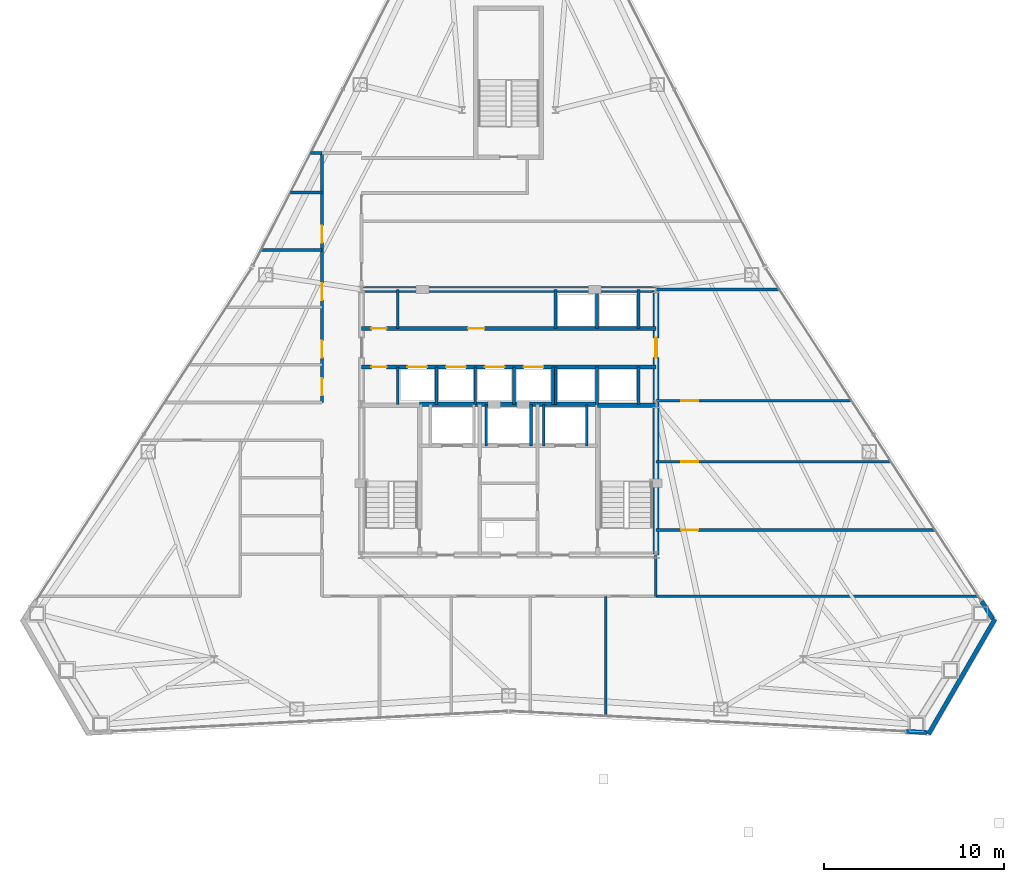
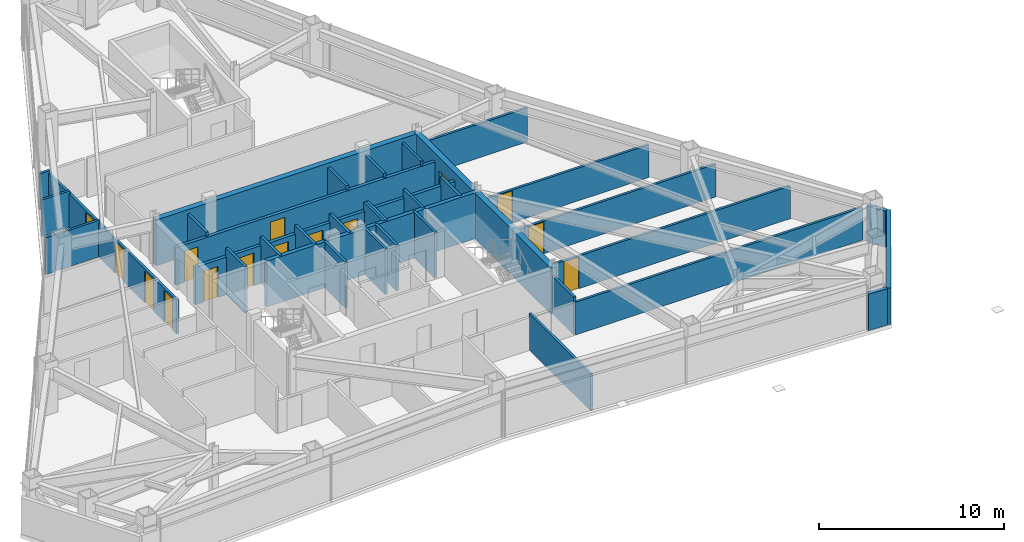
# One storey, part 10 of 12: 36 walls, 15 doors, 15 openings.
"""IFC4 building model written with IfcOpenShell, lengths in metres."""

from ifc_helpers import new_model, si_unit, direction, frame, frame_2d, origin, place, context, subcontext, project, spatial, rectangle, extrude, material, layer, layer_set, type_object, element, fill, save


model = new_model("IFC4")

# Units and contexts
model_context = context("Model", 3, precision=1e-05, world=origin(), true_north=direction((0.0, 1.0)))
body_context = subcontext(model_context, "Body", "Model", "MODEL_VIEW")
ifc_project = project(units=[si_unit("LENGTHUNIT", "METRE"), si_unit("AREAUNIT", "SQUARE_METRE"), si_unit("VOLUMEUNIT", "CUBIC_METRE"), si_unit("PLANEANGLEUNIT", "RADIAN"), si_unit("MASSUNIT", "GRAM", prefix="KILO")], contexts=[model_context])

# Site, building, storey
site_placement = place(None, origin())
site = spatial("IfcSite", under=ifc_project, at=site_placement, CompositionType="ELEMENT")
building_placement = place(site_placement, origin())
building = spatial("IfcBuilding", under=site, at=building_placement, Name="Varakhsha Concourse Tower", CompositionType="ELEMENT")
storey_placement = place(building_placement, frame((0.0, 0.0, 193.050048828125)))
storey = spatial("IfcBuildingStorey", under=building, at=storey_placement, Name="L55", CompositionType="ELEMENT", Elevation=193.050048828125)

# Wall
ifc_material_1 = material(Name="Concrete fc 65 MPa", Category="concrete")
ifc_layer_1 = layer(ifc_material_1, 0.35009765625, Name="WL-CORE-350")
ifc_layer_set_1 = layer_set([ifc_layer_1], Name="Concrete fc 65 MPa")
wall_type_1 = type_object("IfcWallType", Name="WL-CORE-350", PredefinedType="SHEAR", material=ifc_layer_set_1)
wall_1_placement = place(storey_placement, frame((31.800048828125, 31.199951171875, 0.0), z_axis=(0.0, 0.0, 1.0), x_axis=(1.0, 0.0, 0.0)))
element("IfcWall", 1, at=wall_1_placement, inside=storey, type_object=wall_type_1, Name="L55 Wall CWALL-N-L55", PredefinedType="SHEAR", context=body_context, shape_type="SweptSolid", body=[
    extrude(rectangle(XDim=16.39990234375, YDim=0.35009765625, at=frame_2d((8.199951171875, 0.0))), origin(), (0.0, 0.0, 1.0), 3.030029296875),
])

# Wall, opening, door
wall_2_placement = place(storey_placement, frame((48.199951171875, 16.39990234375, 0.0), z_axis=(0.0, 0.0, 1.0), x_axis=(0.0, 1.0, 0.0)))
wall_2 = element("IfcWall", 2, at=wall_2_placement, inside=storey, type_object=wall_type_1, Name="L55 Wall CWALL-E-L55", PredefinedType="SHEAR", context=body_context, shape_type="SweptSolid", body=[
    extrude(rectangle(XDim=14.800048828125, YDim=0.35009765625, at=frame_2d((7.39990234375, 0.0))), origin(), (0.0, 0.0, 1.0), 3.030029296875),
])
opening_1_placement = place(wall_2_placement, frame((11.0, 0.0, 0.0)))
opening_1 = element("IfcOpeningElement", 3, at=opening_1_placement, cuts=wall_2, Name="Opening DL-01", PredefinedType="OPENING", context=body_context, shape_type="SweptSolid", body=[
    extrude(rectangle(XDim=1.10009765625, YDim=2.14990234375, at=frame_2d((0.550048828125, 1.074951171875))), frame((0.0, 0.18505859375, 0.0), z_axis=(0.0, -1.0, 0.0), x_axis=(1.0, 0.0, 0.0)), (0.0, 0.0, 1.0), 0.3701171875),
])
ifc_material_2 = material(Name="Anodised Bronze Architectural Aluminium AA 6063-T6", Category="aluminium")
door_type_1 = type_object("IfcDoorType", Name="DR-LOB-1100", OperationType="NOTDEFINED", PredefinedType="DOOR", material=ifc_material_2)
door_1_placement = place(opening_1_placement, origin())
door_1 = element("IfcDoor", 4, at=door_1_placement, inside=storey, type_object=door_type_1, Name="L55 Lift Lobby East Concourse Door", OperationType="SINGLE_SWING_RIGHT", OverallHeight=2.14990234375, OverallWidth=1.10009765625, PredefinedType="DOOR", context=body_context, shape_type="SweptSolid", body=[
    extrude(rectangle(XDim=1.10009765625, YDim=2.14990234375, at=frame_2d((0.550048828125, 1.074951171875))), frame((0.0, 0.02490234375, 0.0), z_axis=(0.0, -1.0, 0.0), x_axis=(1.0, 0.0, 0.0)), (0.0, 0.0, 1.0), 0.050048828125),
])
fill(opening_1, door_1)

# Walls
ifc_material_3 = material(Name="Concrete fc 45 MPa", Category="concrete")
ifc_layer_2 = layer(ifc_material_3, 0.239990234375, Name="WL-EXT-CRN-240")
ifc_layer_set_2 = layer_set([ifc_layer_2], Name="Concrete fc 45 MPa")
wall_type_2 = type_object("IfcWallType", Name="WL-EXT-CRN-240", PredefinedType="SHEAR", material=ifc_layer_set_2)
wall_3_placement = place(storey_placement, frame((62.1455078125, 6.5771484375, 0.0), z_axis=(0.0, 0.0, 1.0), x_axis=(0.998696973005, -0.051032892443, 0.0)))
element("IfcWall", 5, at=wall_3_placement, inside=storey, type_object=wall_type_2, Name="L55 Wind-Corner Shoulder Wall F6", PredefinedType="SHEAR", context=body_context, shape_type="SweptSolid", body=[
    extrude(rectangle(XDim=1.167236328125, YDim=0.239990234375, at=frame_2d((0.58349609375, 0.0))), origin(), (0.0, 0.0, 1.0), 2.40283203125),
])
wall_4_placement = place(storey_placement, frame((67.084228515625, 12.835205078125, 0.0), z_axis=(0.0, 0.0, 1.0), x_axis=(-0.499988999718, -0.866031754707, 0.0)))
element("IfcWall", 6, at=wall_4_placement, inside=storey, type_object=wall_type_2, Name="L55 Chamfer Wind-Corner Insulated Wall F7", PredefinedType="SHEAR", context=body_context, shape_type="SweptSolid", body=[
    extrude(rectangle(XDim=7.400146484375, YDim=0.239990234375, at=frame_2d((3.7001953125, 0.0))), origin(), (0.0, 0.0, 1.0), 2.40283203125),
])
wall_5_placement = place(storey_placement, frame((66.968994140625, 12.852783203125, 0.0), z_axis=(0.0, 0.0, 1.0), x_axis=(-0.543502707761, 0.839407413987, 0.0)))
element("IfcWall", 7, at=wall_5_placement, inside=storey, type_object=wall_type_2, Name="L55 Wind-Corner Shoulder Wall F8", PredefinedType="SHEAR", context=body_context, shape_type="SweptSolid", body=[
    extrude(rectangle(XDim=1.16748046875, YDim=0.239990234375, at=frame_2d((0.583740234375, 0.0))), origin(), (0.0, 0.0, 1.0), 2.40283203125),
])
ifc_material_4 = material(Name="Fire-Rated Type X Gypsum Partition Assembly", Category="gypsum")
ifc_layer_3 = layer(ifc_material_4, 0.14990234375, Name="WL-PART-150")
ifc_layer_set_3 = layer_set([ifc_layer_3], Name="Fire-Rated Type X Gypsum Partition Assembly")
wall_type_3 = type_object("IfcWallType", Name="WL-PART-150", PredefinedType="PARTITIONING", material=ifc_layer_set_3)
wall_6_placement = place(storey_placement, frame((48.199951171875, 14.10009765625, 0.0), z_axis=(0.0, 0.0, 1.0), x_axis=(0.0, 1.0, 0.0)))
element("IfcWall", 8, at=wall_6_placement, inside=storey, type_object=wall_type_3, Name="L55 Wall CRW-SE-L55", PredefinedType="PARTITIONING", context=body_context, shape_type="SweptSolid", body=[
    extrude(rectangle(XDim=2.2998046875, YDim=0.14990234375, at=frame_2d((1.14990234375, 0.0))), origin(), (0.0, 0.0, 1.0), 2.48486328125),
])

# Wall, openings, doors
wall_7_placement = place(storey_placement, frame((29.60009765625, 24.89990234375, 0.0), z_axis=(0.0, 0.0, 1.0), x_axis=(0.0, 1.0, 0.0)))
wall_7 = element("IfcWall", 9, at=wall_7_placement, inside=storey, type_object=wall_type_3, Name="L55 Wall CRW-WN-L55", PredefinedType="PARTITIONING", context=body_context, shape_type="SweptSolid", body=[
    extrude(rectangle(XDim=13.900146484375, YDim=0.14990234375, at=frame_2d((6.9501953125, 0.0))), origin(), (0.0, 0.0, 1.0), 2.240966796875),
])
opening_2_placement = place(wall_7_placement, frame((0.39990234375, 0.0, 0.0)))
opening_2 = element("IfcOpeningElement", 10, at=opening_2_placement, cuts=wall_7, Name="Opening DF-05", PredefinedType="OPENING", context=body_context, shape_type="SweptSolid", body=[
    extrude(rectangle(XDim=0.949951171875, YDim=2.10009765625, at=frame_2d((0.47509765625, 1.050048828125))), frame((0.0, 0.0849609375, 0.0), z_axis=(0.0, -1.0, 0.0), x_axis=(1.0, 0.0, 0.0)), (0.0, 0.0, 1.0), 0.169921875),
])
opening_3_placement = place(wall_7_placement, frame((2.5, 0.0, 0.0)))
opening_3 = element("IfcOpeningElement", 11, at=opening_3_placement, cuts=wall_7, Name="Opening DF-05", PredefinedType="OPENING", context=body_context, shape_type="SweptSolid", body=[
    extrude(rectangle(XDim=0.949951171875, YDim=2.10009765625, at=frame_2d((0.47509765625, 1.050048828125))), frame((0.0, 0.0849609375, 0.0), z_axis=(0.0, -1.0, 0.0), x_axis=(1.0, 0.0, 0.0)), (0.0, 0.0, 1.0), 0.169921875),
])
opening_4_placement = place(wall_7_placement, frame((5.699951171875, 0.0, 0.0)))
opening_4 = element("IfcOpeningElement", 12, at=opening_4_placement, cuts=wall_7, Name="Opening DF-05", PredefinedType="OPENING", context=body_context, shape_type="SweptSolid", body=[
    extrude(rectangle(XDim=0.949951171875, YDim=2.10009765625, at=frame_2d((0.47509765625, 1.050048828125))), frame((0.0, 0.0849609375, 0.0), z_axis=(0.0, -1.0, 0.0), x_axis=(1.0, 0.0, 0.0)), (0.0, 0.0, 1.0), 0.169921875),
])
opening_5_placement = place(wall_7_placement, frame((8.89990234375, 0.0, 0.0)))
opening_5 = element("IfcOpeningElement", 13, at=opening_5_placement, cuts=wall_7, Name="Opening DF-05", PredefinedType="OPENING", context=body_context, shape_type="SweptSolid", body=[
    extrude(rectangle(XDim=0.949951171875, YDim=2.10009765625, at=frame_2d((0.47509765625, 1.050048828125))), frame((0.0, 0.0849609375, 0.0), z_axis=(0.0, -1.0, 0.0), x_axis=(1.0, 0.0, 0.0)), (0.0, 0.0, 1.0), 0.169921875),
])
ifc_material_5 = material(Name="Hollow Galvanised Steel Fire Door Assembly", Category="steel")
door_type_2 = type_object("IfcDoorType", Name="DR-FD60-950", OperationType="NOTDEFINED", PredefinedType="DOOR", material=ifc_material_5)
door_2_placement = place(opening_2_placement, origin())
door_2 = element("IfcDoor", 14, at=door_2_placement, inside=storey, type_object=door_type_2, Name="L55 Executive Dining Pantry L55-NW Door", OperationType="SINGLE_SWING_RIGHT", OverallHeight=2.10009765625, OverallWidth=0.949951171875, PredefinedType="DOOR", context=body_context, shape_type="SweptSolid", body=[
    extrude(rectangle(XDim=0.949951171875, YDim=2.10009765625, at=frame_2d((0.47509765625, 1.050048828125))), frame((0.0, 0.02490234375, 0.0), z_axis=(0.0, -1.0, 0.0), x_axis=(1.0, 0.0, 0.0)), (0.0, 0.0, 1.0), 0.050048828125),
])
fill(opening_2, door_2)
door_3_placement = place(opening_3_placement, origin())
door_3 = element("IfcDoor", 15, at=door_3_placement, inside=storey, type_object=door_type_2, Name="L55 Executive Director Suite L55-W2 Door", OperationType="SINGLE_SWING_LEFT", OverallHeight=2.10009765625, OverallWidth=0.949951171875, PredefinedType="DOOR", context=body_context, shape_type="SweptSolid", body=[
    extrude(rectangle(XDim=0.949951171875, YDim=2.10009765625, at=frame_2d((0.47509765625, 1.050048828125))), frame((0.0, 0.02490234375, 0.0), z_axis=(0.0, -1.0, 0.0), x_axis=(1.0, 0.0, 0.0)), (0.0, 0.0, 1.0), 0.050048828125),
])
fill(opening_3, door_3)
door_4_placement = place(opening_4_placement, origin())
door_4 = element("IfcDoor", 16, at=door_4_placement, inside=storey, type_object=door_type_2, Name="L55 Executive Director Suite L55-W3 Door", OperationType="SINGLE_SWING_RIGHT", OverallHeight=2.10009765625, OverallWidth=0.949951171875, PredefinedType="DOOR", context=body_context, shape_type="SweptSolid", body=[
    extrude(rectangle(XDim=0.949951171875, YDim=2.10009765625, at=frame_2d((0.47509765625, 1.050048828125))), frame((0.0, 0.02490234375, 0.0), z_axis=(0.0, -1.0, 0.0), x_axis=(1.0, 0.0, 0.0)), (0.0, 0.0, 1.0), 0.050048828125),
])
fill(opening_4, door_4)
door_5_placement = place(opening_5_placement, origin())
door_5 = element("IfcDoor", 17, at=door_5_placement, inside=storey, type_object=door_type_2, Name="L55 Executive Director Suite L55-W4 Door", OperationType="SINGLE_SWING_LEFT", OverallHeight=2.10009765625, OverallWidth=0.949951171875, PredefinedType="DOOR", context=body_context, shape_type="SweptSolid", body=[
    extrude(rectangle(XDim=0.949951171875, YDim=2.10009765625, at=frame_2d((0.47509765625, 1.050048828125))), frame((0.0, 0.02490234375, 0.0), z_axis=(0.0, -1.0, 0.0), x_axis=(1.0, 0.0, 0.0)), (0.0, 0.0, 1.0), 0.050048828125),
])
fill(opening_5, door_5)

# Walls
wall_8_placement = place(storey_placement, frame((45.39990234375, 7.43896484375, 0.0), z_axis=(0.0, 0.0, 1.0), x_axis=(0.0, 1.0, 0.0)))
element("IfcWall", 18, at=wall_8_placement, inside=storey, type_object=wall_type_3, Name="L55 Wall ODIV-S4-L55", PredefinedType="PARTITIONING", context=body_context, shape_type="SweptSolid", body=[
    extrude(rectangle(XDim=6.6611328125, YDim=0.14990234375, at=frame_2d((3.33056640625, 0.0))), origin(), (0.0, 0.0, 1.0), 2.408935546875),
])
wall_9_placement = place(storey_placement, frame((28.97314453125, 38.800048828125, 0.0), z_axis=(0.0, 0.0, 1.0), x_axis=(1.0, 0.0, 0.0)))
element("IfcWall", 19, at=wall_9_placement, inside=storey, type_object=wall_type_3, Name="L55 Wall ODIV-NWT-L55", PredefinedType="PARTITIONING", context=body_context, shape_type="SweptSolid", body=[
    extrude(rectangle(XDim=0.626953125, YDim=0.14990234375, at=frame_2d((0.3134765625, 0.0))), origin(), (0.0, 0.0, 1.0), 2.408935546875),
])
wall_10_placement = place(storey_placement, frame((26.213134765625, 33.39990234375, 0.0), z_axis=(0.0, 0.0, 1.0), x_axis=(1.0, 0.0, 0.0)))
element("IfcWall", 20, at=wall_10_placement, inside=storey, type_object=wall_type_3, Name="L55 Wall ODIV-W3-L55", PredefinedType="PARTITIONING", context=body_context, shape_type="SweptSolid", body=[
    extrude(rectangle(XDim=3.386962890625, YDim=0.14990234375, at=frame_2d((1.693359375, 0.0))), origin(), (0.0, 0.0, 1.0), 2.408935546875),
])
wall_11_placement = place(storey_placement, frame((27.8486328125, 36.60009765625, 0.0), z_axis=(0.0, 0.0, 1.0), x_axis=(1.0, 0.0, 0.0)))
element("IfcWall", 21, at=wall_11_placement, inside=storey, type_object=wall_type_3, Name="L55 Wall ODIV-W4-L55", PredefinedType="PARTITIONING", context=body_context, shape_type="SweptSolid", body=[
    extrude(rectangle(XDim=1.75146484375, YDim=0.14990234375, at=frame_2d((0.875732421875, 0.0))), origin(), (0.0, 0.0, 1.0), 2.408935546875),
])
wall_12_placement = place(storey_placement, frame((48.199951171875, 31.199951171875, 0.0), z_axis=(0.0, 0.0, 1.0), x_axis=(1.0, 0.0, 0.0)))
element("IfcWall", 22, at=wall_12_placement, inside=storey, type_object=wall_type_3, Name="L55 Wall ODIV-NEB-L55", PredefinedType="PARTITIONING", context=body_context, shape_type="SweptSolid", body=[
    extrude(rectangle(XDim=6.880859375, YDim=0.14990234375, at=frame_2d((3.4404296875, 0.0))), origin(), (0.0, 0.0, 1.0), 2.240966796875),
])
wall_13_placement = place(storey_placement, frame((48.199951171875, 14.10009765625, 0.0), z_axis=(0.0, 0.0, 1.0), x_axis=(1.0, 0.0, 0.0)))
element("IfcWall", 23, at=wall_13_placement, inside=storey, type_object=wall_type_3, Name="L55 Wall ODIV-EB0-L55", PredefinedType="PARTITIONING", context=body_context, shape_type="SweptSolid", body=[
    extrude(rectangle(XDim=17.95556640625, YDim=0.14990234375, at=frame_2d((8.977783203125, 0.0))), origin(), (0.0, 0.0, 1.0), 2.160888671875),
])

# Wall, opening, door
wall_14_placement = place(storey_placement, frame((48.199951171875, 17.800048828125, 0.0), z_axis=(0.0, 0.0, 1.0), x_axis=(1.0, 0.0, 0.0)))
wall_14 = element("IfcWall", 24, at=wall_14_placement, inside=storey, type_object=wall_type_3, Name="L55 Wall ODIV-E1-L55", PredefinedType="PARTITIONING", context=body_context, shape_type="SweptSolid", body=[
    extrude(rectangle(XDim=15.559326171875, YDim=0.14990234375, at=frame_2d((7.77978515625, 0.0))), origin(), (0.0, 0.0, 1.0), 2.160888671875),
])
opening_6_placement = place(wall_14_placement, frame((1.39990234375, 0.0, 0.0)))
opening_6 = element("IfcOpeningElement", 25, at=opening_6_placement, cuts=wall_14, Name="Opening DF-05", PredefinedType="OPENING", context=body_context, shape_type="SweptSolid", body=[
    extrude(rectangle(XDim=0.949951171875, YDim=2.10009765625, at=frame_2d((0.47509765625, 1.050048828125))), frame((0.0, 0.0849609375, 0.0), z_axis=(0.0, -1.0, 0.0), x_axis=(1.0, 0.0, 0.0)), (0.0, 0.0, 1.0), 0.169921875),
])
door_6_placement = place(opening_6_placement, origin())
door_6 = element("IfcDoor", 26, at=door_6_placement, inside=storey, type_object=door_type_2, Name="L55 East Suite Interconnect Door 1", OperationType="SINGLE_SWING_LEFT", OverallHeight=2.10009765625, OverallWidth=0.949951171875, PredefinedType="DOOR", context=body_context, shape_type="SweptSolid", body=[
    extrude(rectangle(XDim=0.949951171875, YDim=2.10009765625, at=frame_2d((0.47509765625, 1.050048828125))), frame((0.0, 0.02490234375, 0.0), z_axis=(0.0, -1.0, 0.0), x_axis=(1.0, 0.0, 0.0)), (0.0, 0.0, 1.0), 0.050048828125),
])
fill(opening_6, door_6)

wall_15_placement = place(storey_placement, frame((48.199951171875, 21.60009765625, 0.0), z_axis=(0.0, 0.0, 1.0), x_axis=(1.0, 0.0, 0.0)))
wall_15 = element("IfcWall", 27, at=wall_15_placement, inside=storey, type_object=wall_type_3, Name="L55 Wall ODIV-E2-L55", PredefinedType="PARTITIONING", context=body_context, shape_type="SweptSolid", body=[
    extrude(rectangle(XDim=13.09814453125, YDim=0.14990234375, at=frame_2d((6.549072265625, 0.0))), origin(), (0.0, 0.0, 1.0), 2.160888671875),
])
opening_7_placement = place(wall_15_placement, frame((1.39990234375, 0.0, 0.0)))
opening_7 = element("IfcOpeningElement", 28, at=opening_7_placement, cuts=wall_15, Name="Opening DF-05", PredefinedType="OPENING", context=body_context, shape_type="SweptSolid", body=[
    extrude(rectangle(XDim=0.949951171875, YDim=2.10009765625, at=frame_2d((0.47509765625, 1.050048828125))), frame((0.0, 0.0849609375, 0.0), z_axis=(0.0, -1.0, 0.0), x_axis=(1.0, 0.0, 0.0)), (0.0, 0.0, 1.0), 0.169921875),
])
door_7_placement = place(opening_7_placement, origin())
door_7 = element("IfcDoor", 29, at=door_7_placement, inside=storey, type_object=door_type_2, Name="L55 East Suite Interconnect Door 2", OperationType="SINGLE_SWING_RIGHT", OverallHeight=2.10009765625, OverallWidth=0.949951171875, PredefinedType="DOOR", context=body_context, shape_type="SweptSolid", body=[
    extrude(rectangle(XDim=0.949951171875, YDim=2.10009765625, at=frame_2d((0.47509765625, 1.050048828125))), frame((0.0, 0.02490234375, 0.0), z_axis=(0.0, -1.0, 0.0), x_axis=(1.0, 0.0, 0.0)), (0.0, 0.0, 1.0), 0.050048828125),
])
fill(opening_7, door_7)

wall_16_placement = place(storey_placement, frame((48.199951171875, 25.0, 0.0), z_axis=(0.0, 0.0, 1.0), x_axis=(1.0, 0.0, 0.0)))
wall_16 = element("IfcWall", 30, at=wall_16_placement, inside=storey, type_object=wall_type_3, Name="L55 Wall ODIV-E3-L55", PredefinedType="PARTITIONING", context=body_context, shape_type="SweptSolid", body=[
    extrude(rectangle(XDim=10.896240234375, YDim=0.14990234375, at=frame_2d((5.4482421875, 0.0))), origin(), (0.0, 0.0, 1.0), 2.160888671875),
])
opening_8_placement = place(wall_16_placement, frame((1.39990234375, 0.0, 0.0)))
opening_8 = element("IfcOpeningElement", 31, at=opening_8_placement, cuts=wall_16, Name="Opening DF-05", PredefinedType="OPENING", context=body_context, shape_type="SweptSolid", body=[
    extrude(rectangle(XDim=0.949951171875, YDim=2.10009765625, at=frame_2d((0.47509765625, 1.050048828125))), frame((0.0, 0.0849609375, 0.0), z_axis=(0.0, -1.0, 0.0), x_axis=(1.0, 0.0, 0.0)), (0.0, 0.0, 1.0), 0.169921875),
])
door_8_placement = place(opening_8_placement, origin())
door_8 = element("IfcDoor", 32, at=door_8_placement, inside=storey, type_object=door_type_2, Name="L55 East Suite Interconnect Door 3", OperationType="SINGLE_SWING_LEFT", OverallHeight=2.10009765625, OverallWidth=0.949951171875, PredefinedType="DOOR", context=body_context, shape_type="SweptSolid", body=[
    extrude(rectangle(XDim=0.949951171875, YDim=2.10009765625, at=frame_2d((0.47509765625, 1.050048828125))), frame((0.0, 0.02490234375, 0.0), z_axis=(0.0, -1.0, 0.0), x_axis=(1.0, 0.0, 0.0)), (0.0, 0.0, 1.0), 0.050048828125),
])
fill(opening_8, door_8)

# Walls
ifc_layer_4 = layer(ifc_material_4, 0.199951171875, Name="WL-SHAFT-220")
ifc_layer_set_4 = layer_set([ifc_layer_4], Name="Fire-Rated Type X Gypsum Partition Assembly")
wall_type_4 = type_object("IfcWallType", Name="WL-SHAFT-220", PredefinedType="SOLIDWALL", material=ifc_layer_set_4)
for number, where, z_axis, x_axis, name in (
    (33, (41.949951171875, 22.47998046875, 0.0), (0.0, 0.0, 1.0), (0.0, 1.0, 0.0), "L55 Wall SHW-FFL-2-W-L55"),
    (34, (44.35009765625, 22.47998046875, 0.0), (0.0, 0.0, 1.0), (0.0, 1.0, 0.0), "L55 Wall SHW-FFL-2-E-L55"),
    (35, (38.75, 22.47998046875, 0.0), (0.0, 0.0, 1.0), (0.0, 1.0, 0.0), "L55 Wall SHW-SVL-1-W-L55"),
    (36, (41.25, 22.47998046875, 0.0), (0.0, 0.0, 1.0), (0.0, 1.0, 0.0), "L55 Wall SHW-SVL-1-E-L55"),
):
    element("IfcWall", number, at=place(storey_placement, frame(where, z_axis=z_axis, x_axis=x_axis)), inside=storey, type_object=wall_type_4, Name=name, PredefinedType="SOLIDWALL", context=body_context, shape_type="SweptSolid", body=[
        extrude(rectangle(XDim=2.320068359375, YDim=0.159912109375, at=frame_2d((1.16015625, 0.0))), origin(), (0.0, 0.0, 1.0), 3.030029296875),
    ])

# Wall, openings, doors
wall_17_placement = place(storey_placement, frame((31.800048828125, 29.02001953125, 0.0), z_axis=(0.0, 0.0, 1.0), x_axis=(1.0, 0.0, 0.0)))
wall_17 = element("IfcWall", 37, at=wall_17_placement, inside=storey, type_object=wall_type_4, Name="L55 Wall PLW-N-L55", PredefinedType="SOLIDWALL", context=body_context, shape_type="SweptSolid", body=[
    extrude(rectangle(XDim=16.39990234375, YDim=0.199951171875, at=frame_2d((8.199951171875, 0.0))), origin(), (0.0, 0.0, 1.0), 2.48486328125),
])
opening_9_placement = place(wall_17_placement, frame((0.550048828125, 0.0, 0.0)))
opening_9 = element("IfcOpeningElement", 38, at=opening_9_placement, cuts=wall_17, Name="Opening DF-07", PredefinedType="OPENING", context=body_context, shape_type="SweptSolid", body=[
    extrude(rectangle(XDim=0.85009765625, YDim=2.050048828125, at=frame_2d((0.425048828125, 1.02490234375))), frame((0.0, 0.10986328125, 0.0), z_axis=(0.0, -1.0, 0.0), x_axis=(1.0, 0.0, 0.0)), (0.0, 0.0, 1.0), 0.219970703125),
])
opening_10_placement = place(wall_17_placement, frame((5.93994140625, 0.0, 0.0)))
opening_10 = element("IfcOpeningElement", 39, at=opening_10_placement, cuts=wall_17, Name="Opening DF-06", PredefinedType="OPENING", context=body_context, shape_type="SweptSolid", body=[
    extrude(rectangle(XDim=0.89990234375, YDim=2.10009765625, at=frame_2d((0.449951171875, 1.050048828125))), frame((0.0, 0.10986328125, 0.0), z_axis=(0.0, -1.0, 0.0), x_axis=(1.0, 0.0, 0.0)), (0.0, 0.0, 1.0), 0.219970703125),
])
door_type_3 = type_object("IfcDoorType", Name="DR-FD60-850", OperationType="NOTDEFINED", PredefinedType="DOOR", material=ifc_material_5)
door_9_placement = place(opening_9_placement, origin())
door_9 = element("IfcDoor", 40, at=door_9_placement, inside=storey, type_object=door_type_3, Name="L55 Core Janitor Closet Door", OperationType="SINGLE_SWING_LEFT", OverallHeight=2.050048828125, OverallWidth=0.85009765625, PredefinedType="DOOR", context=body_context, shape_type="SweptSolid", body=[
    extrude(rectangle(XDim=0.85009765625, YDim=2.050048828125, at=frame_2d((0.425048828125, 1.02490234375))), frame((0.0, 0.02490234375, 0.0), z_axis=(0.0, -1.0, 0.0), x_axis=(1.0, 0.0, 0.0)), (0.0, 0.0, 1.0), 0.050048828125),
])
fill(opening_9, door_9)
door_type_4 = type_object("IfcDoorType", Name="DR-FD60-900", OperationType="NOTDEFINED", PredefinedType="DOOR", material=ifc_material_5)
door_10_placement = place(opening_10_placement, origin())
door_10 = element("IfcDoor", 41, at=door_10_placement, inside=storey, type_object=door_type_4, Name="L55 Tenant Archive and IT Server Room Door", OperationType="SINGLE_SWING_LEFT", OverallHeight=2.10009765625, OverallWidth=0.89990234375, PredefinedType="DOOR", context=body_context, shape_type="SweptSolid", body=[
    extrude(rectangle(XDim=0.89990234375, YDim=2.10009765625, at=frame_2d((0.449951171875, 1.050048828125))), frame((0.0, 0.02490234375, 0.0), z_axis=(0.0, -1.0, 0.0), x_axis=(1.0, 0.0, 0.0)), (0.0, 0.0, 1.0), 0.050048828125),
])
fill(opening_10, door_10)

wall_18_placement = place(storey_placement, frame((31.800048828125, 26.8798828125, 0.0), z_axis=(0.0, 0.0, 1.0), x_axis=(1.0, 0.0, 0.0)))
wall_18 = element("IfcWall", 42, at=wall_18_placement, inside=storey, type_object=wall_type_4, Name="L55 Wall PLW-S-L55", PredefinedType="SOLIDWALL", context=body_context, shape_type="SweptSolid", body=[
    extrude(rectangle(XDim=16.39990234375, YDim=0.199951171875, at=frame_2d((8.199951171875, 0.0))), origin(), (0.0, 0.0, 1.0), 2.48486328125),
])
opening_11_placement = place(wall_18_placement, frame((0.550048828125, 0.0, 0.0)))
opening_11 = element("IfcOpeningElement", 43, at=opening_11_placement, cuts=wall_18, Name="Opening DF-07", PredefinedType="OPENING", context=body_context, shape_type="SweptSolid", body=[
    extrude(rectangle(XDim=0.85009765625, YDim=2.050048828125, at=frame_2d((0.425048828125, 1.02490234375))), frame((0.0, 0.10986328125, 0.0), z_axis=(0.0, -1.0, 0.0), x_axis=(1.0, 0.0, 0.0)), (0.0, 0.0, 1.0), 0.219970703125),
])
opening_12_placement = place(wall_18_placement, frame((2.550048828125, 0.0, 0.0)))
opening_12 = element("IfcOpeningElement", 44, at=opening_12_placement, cuts=wall_18, Name="Opening LD-LF-P05", PredefinedType="OPENING", context=body_context, shape_type="SweptSolid", body=[
    extrude(rectangle(XDim=1.10009765625, YDim=2.14990234375, at=frame_2d((0.550048828125, 1.074951171875))), frame((0.0, 0.10986328125, 0.0), z_axis=(0.0, -1.0, 0.0), x_axis=(1.0, 0.0, 0.0)), (0.0, 0.0, 1.0), 0.219970703125),
])
opening_13_placement = place(wall_18_placement, frame((4.7099609375, 0.0, 0.0)))
opening_13 = element("IfcOpeningElement", 45, at=opening_13_placement, cuts=wall_18, Name="Opening LD-LF-P06", PredefinedType="OPENING", context=body_context, shape_type="SweptSolid", body=[
    extrude(rectangle(XDim=1.10009765625, YDim=2.14990234375, at=frame_2d((0.550048828125, 1.074951171875))), frame((0.0, 0.10986328125, 0.0), z_axis=(0.0, -1.0, 0.0), x_axis=(1.0, 0.0, 0.0)), (0.0, 0.0, 1.0), 0.219970703125),
])
opening_14_placement = place(wall_18_placement, frame((6.8701171875, 0.0, 0.0)))
opening_14 = element("IfcOpeningElement", 46, at=opening_14_placement, cuts=wall_18, Name="Opening LD-LF-P07", PredefinedType="OPENING", context=body_context, shape_type="SweptSolid", body=[
    extrude(rectangle(XDim=1.10009765625, YDim=2.14990234375, at=frame_2d((0.550048828125, 1.074951171875))), frame((0.0, 0.10986328125, 0.0), z_axis=(0.0, -1.0, 0.0), x_axis=(1.0, 0.0, 0.0)), (0.0, 0.0, 1.0), 0.219970703125),
])
opening_15_placement = place(wall_18_placement, frame((9.030029296875, 0.0, 0.0)))
opening_15 = element("IfcOpeningElement", 47, at=opening_15_placement, cuts=wall_18, Name="Opening LD-LF-P08", PredefinedType="OPENING", context=body_context, shape_type="SweptSolid", body=[
    extrude(rectangle(XDim=1.10009765625, YDim=2.14990234375, at=frame_2d((0.550048828125, 1.074951171875))), frame((0.0, 0.10986328125, 0.0), z_axis=(0.0, -1.0, 0.0), x_axis=(1.0, 0.0, 0.0)), (0.0, 0.0, 1.0), 0.219970703125),
])
door_11_placement = place(opening_11_placement, origin())
door_11 = element("IfcDoor", 48, at=door_11_placement, inside=storey, type_object=door_type_3, Name="L55 Core Telecoms Closet Door", OperationType="SINGLE_SWING_RIGHT", OverallHeight=2.050048828125, OverallWidth=0.85009765625, PredefinedType="DOOR", context=body_context, shape_type="SweptSolid", body=[
    extrude(rectangle(XDim=0.85009765625, YDim=2.050048828125, at=frame_2d((0.425048828125, 1.02490234375))), frame((0.0, 0.02490234375, 0.0), z_axis=(0.0, -1.0, 0.0), x_axis=(1.0, 0.0, 0.0)), (0.0, 0.0, 1.0), 0.050048828125),
])
fill(opening_11, door_11)
ifc_material_6 = material(Name="Brushed Austenitic Stainless Steel AISI 316", Category="steel")
door_type_5 = type_object("IfcDoorType", Name="DR-LD-1100", OperationType="DOUBLE_DOOR_SLIDING", PredefinedType="DOOR", material=ifc_material_6)
door_12_placement = place(opening_12_placement, origin())
door_12 = element("IfcDoor", 49, at=door_12_placement, inside=storey, type_object=door_type_5, Name="Lift Landing Door LF-P05 L55", OperationType="DOUBLE_DOOR_SLIDING", OverallHeight=2.14990234375, OverallWidth=1.10009765625, PredefinedType="DOOR", context=body_context, shape_type="SweptSolid", body=[
    extrude(rectangle(XDim=1.10009765625, YDim=2.14990234375, at=frame_2d((0.550048828125, 1.074951171875))), frame((0.0, 0.02490234375, 0.0), z_axis=(0.0, -1.0, 0.0), x_axis=(1.0, 0.0, 0.0)), (0.0, 0.0, 1.0), 0.050048828125),
])
fill(opening_12, door_12)
door_13_placement = place(opening_13_placement, origin())
door_13 = element("IfcDoor", 50, at=door_13_placement, inside=storey, type_object=door_type_5, Name="Lift Landing Door LF-P06 L55", OperationType="DOUBLE_DOOR_SLIDING", OverallHeight=2.14990234375, OverallWidth=1.10009765625, PredefinedType="DOOR", context=body_context, shape_type="SweptSolid", body=[
    extrude(rectangle(XDim=1.10009765625, YDim=2.14990234375, at=frame_2d((0.550048828125, 1.074951171875))), frame((0.0, 0.02490234375, 0.0), z_axis=(0.0, -1.0, 0.0), x_axis=(1.0, 0.0, 0.0)), (0.0, 0.0, 1.0), 0.050048828125),
])
fill(opening_13, door_13)
door_14_placement = place(opening_14_placement, origin())
door_14 = element("IfcDoor", 51, at=door_14_placement, inside=storey, type_object=door_type_5, Name="Lift Landing Door LF-P07 L55", OperationType="DOUBLE_DOOR_SLIDING", OverallHeight=2.14990234375, OverallWidth=1.10009765625, PredefinedType="DOOR", context=body_context, shape_type="SweptSolid", body=[
    extrude(rectangle(XDim=1.10009765625, YDim=2.14990234375, at=frame_2d((0.550048828125, 1.074951171875))), frame((0.0, 0.02490234375, 0.0), z_axis=(0.0, -1.0, 0.0), x_axis=(1.0, 0.0, 0.0)), (0.0, 0.0, 1.0), 0.050048828125),
])
fill(opening_14, door_14)
door_15_placement = place(opening_15_placement, origin())
door_15 = element("IfcDoor", 52, at=door_15_placement, inside=storey, type_object=door_type_5, Name="Lift Landing Door LF-P08 L55", OperationType="DOUBLE_DOOR_SLIDING", OverallHeight=2.14990234375, OverallWidth=1.10009765625, PredefinedType="DOOR", context=body_context, shape_type="SweptSolid", body=[
    extrude(rectangle(XDim=1.10009765625, YDim=2.14990234375, at=frame_2d((0.550048828125, 1.074951171875))), frame((0.0, 0.02490234375, 0.0), z_axis=(0.0, -1.0, 0.0), x_axis=(1.0, 0.0, 0.0)), (0.0, 0.0, 1.0), 0.050048828125),
])
fill(opening_15, door_15)

# Walls
wall_19_placement = place(storey_placement, frame((33.820068359375, 29.02001953125, 0.0), z_axis=(0.0, 0.0, 1.0), x_axis=(0.0, 1.0, 0.0)))
element("IfcWall", 53, at=wall_19_placement, inside=storey, type_object=wall_type_4, Name="L55 Wall WBOH-E1-L55", PredefinedType="SOLIDWALL", context=body_context, shape_type="SweptSolid", body=[
    extrude(rectangle(XDim=2.179931640625, YDim=0.159912109375, at=frame_2d((1.08984375, 0.0))), origin(), (0.0, 0.0, 1.0), 2.758056640625),
])
for number, where, z_axis, x_axis, name in (
    (54, (33.820068359375, 24.800048828125, 0.0), (0.0, 0.0, 1.0), (0.0, 1.0, 0.0), "L55 Wall WBOH-E2-L55"),
    (55, (35.97998046875, 24.800048828125, 0.0), (0.0, 0.0, 1.0), (0.0, 1.0, 0.0), "L55 Wall SHW-LF-P05-E-L55"),
    (56, (38.139892578125, 24.800048828125, 0.0), (0.0, 0.0, 1.0), (0.0, 1.0, 0.0), "L55 Wall SHW-LF-P06-E-L55"),
    (57, (40.300048828125, 24.800048828125, 0.0), (0.0, 0.0, 1.0), (0.0, 1.0, 0.0), "L55 Wall SHW-LF-P07-E-L55"),
    (58, (42.4599609375, 24.800048828125, 0.0), (0.0, 0.0, 1.0), (0.0, 1.0, 0.0), "L55 Wall SHW-LF-P08-E-L55"),
):
    element("IfcWall", number, at=place(storey_placement, frame(where, z_axis=z_axis, x_axis=x_axis)), inside=storey, type_object=wall_type_4, Name=name, PredefinedType="SOLIDWALL", context=body_context, shape_type="SweptSolid", body=[
        extrude(rectangle(XDim=2.079833984375, YDim=0.159912109375, at=frame_2d((1.0400390625, 0.0))), origin(), (0.0, 0.0, 1.0), 3.030029296875),
    ])
for number, where, z_axis, x_axis, name in (
    (59, (42.60009765625, 29.02001953125, 0.0), (0.0, 0.0, 1.0), (0.0, 1.0, 0.0), "L55 Wall SHW-LF-P09-W-L55"),
    (60, (44.919921875, 29.02001953125, 0.0), (0.0, 0.0, 1.0), (0.0, 1.0, 0.0), "L55 Wall SHW-LF-P09-E-L55"),
    (61, (47.239990234375, 29.02001953125, 0.0), (0.0, 0.0, 1.0), (0.0, 1.0, 0.0), "L55 Wall SHW-LF-P10-E-L55"),
):
    element("IfcWall", number, at=place(storey_placement, frame(where, z_axis=z_axis, x_axis=x_axis)), inside=storey, type_object=wall_type_4, Name=name, PredefinedType="SOLIDWALL", context=body_context, shape_type="SweptSolid", body=[
        extrude(rectangle(XDim=2.179931640625, YDim=0.159912109375, at=frame_2d((1.08984375, 0.0))), origin(), (0.0, 0.0, 1.0), 2.758056640625),
    ])
for number, where, z_axis, x_axis, name in (
    (62, (42.60009765625, 24.800048828125, 0.0), (0.0, 0.0, 1.0), (0.0, 1.0, 0.0), "L55 Wall SHW-LF-P11-W-L55"),
    (63, (44.919921875, 24.800048828125, 0.0), (0.0, 0.0, 1.0), (0.0, 1.0, 0.0), "L55 Wall SHW-LF-P11-E-L55"),
    (64, (47.239990234375, 24.800048828125, 0.0), (0.0, 0.0, 1.0), (0.0, 1.0, 0.0), "L55 Wall SHW-LF-P12-E-L55"),
):
    element("IfcWall", number, at=place(storey_placement, frame(where, z_axis=z_axis, x_axis=x_axis)), inside=storey, type_object=wall_type_4, Name=name, PredefinedType="SOLIDWALL", context=body_context, shape_type="SweptSolid", body=[
        extrude(rectangle(XDim=2.079833984375, YDim=0.159912109375, at=frame_2d((1.0400390625, 0.0))), origin(), (0.0, 0.0, 1.0), 3.030029296875),
    ])
ifc_layer_5 = layer(ifc_material_3, 0.25, Name="WL-STAIR-250")
ifc_layer_set_5 = layer_set([ifc_layer_5], Name="Concrete fc 45 MPa")
wall_type_5 = type_object("IfcWallType", Name="WL-STAIR-250", PredefinedType="SHEAR", material=ifc_layer_set_5)
wall_20_placement = place(storey_placement, frame((44.955078125, 24.7548828125, 0.0), z_axis=(0.0, 0.0, 1.0), x_axis=(1.0, 0.0, 0.0)))
element("IfcWall", 65, at=wall_20_placement, inside=storey, type_object=wall_type_5, Name="L55 Wall SWALL-ST2-N-L55", PredefinedType="SHEAR", context=body_context, shape_type="SweptSolid", body=[
    extrude(rectangle(XDim=3.244873046875, YDim=0.25, at=frame_2d((1.62255859375, 0.0))), origin(), (0.0, 0.0, 1.0), 3.030029296875),
])
wall_21_placement = place(storey_placement, frame((35.044921875, 24.800048828125, 0.0), z_axis=(0.0, 0.0, 1.0), x_axis=(1.0, 0.0, 0.0)))
element("IfcWall", 66, at=wall_21_placement, inside=storey, type_object=wall_type_5, Name="L55 Wall SWALL-MID-H-L55", PredefinedType="SHEAR", context=body_context, shape_type="SweptSolid", body=[
    extrude(rectangle(XDim=9.91015625, YDim=0.25, at=frame_2d((4.955078125, 0.0))), origin(), (0.0, 0.0, 1.0), 3.030029296875),
])

save(model, "model.ifc")
